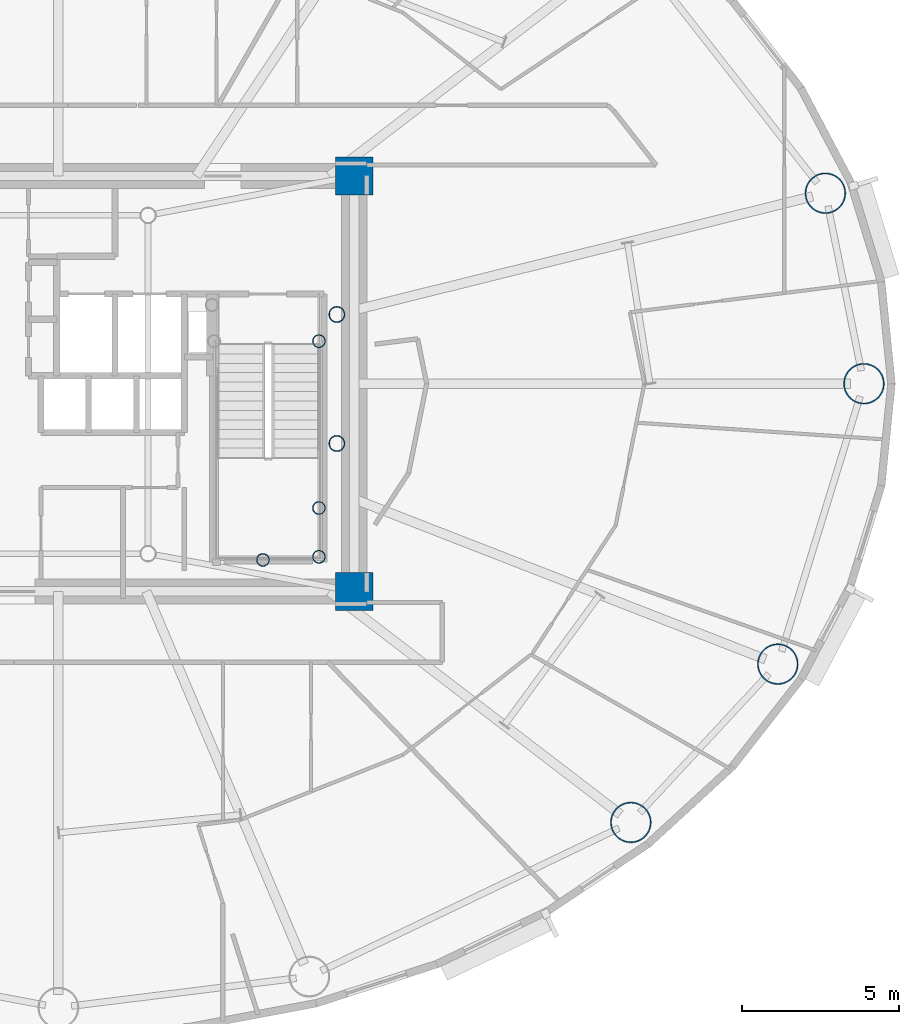
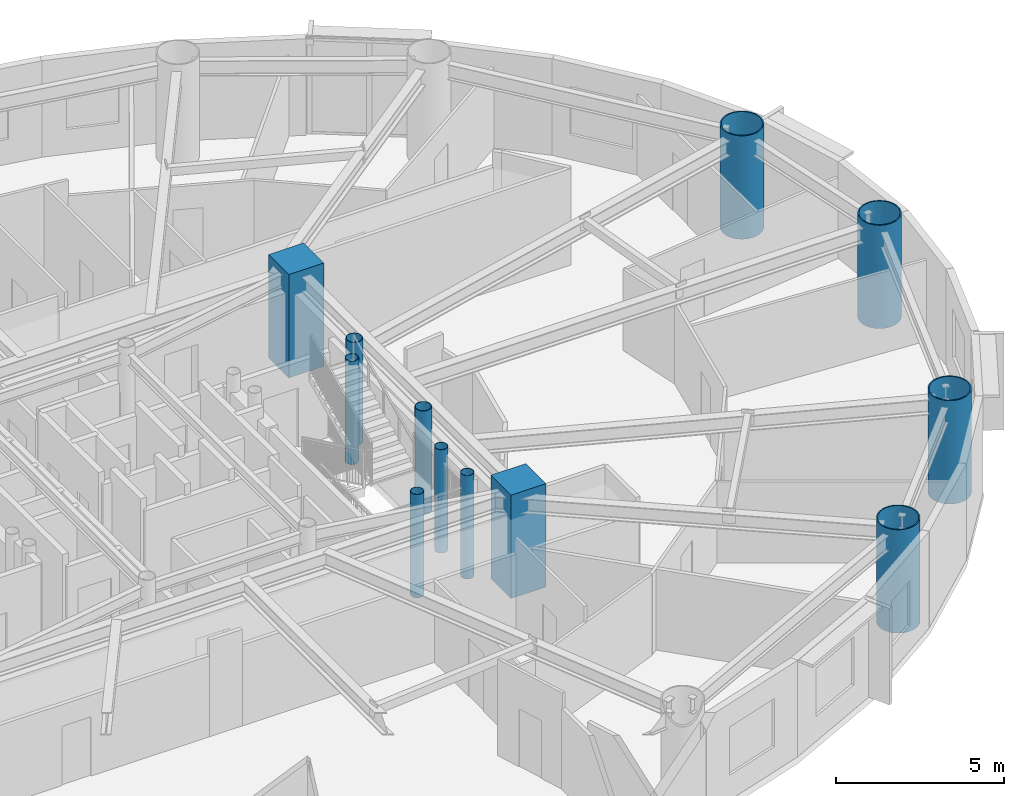
# One storey, part 2 of 19: 12 columns.
"""IFC4 building model written with IfcOpenShell, lengths in metres."""

from ifc_helpers import new_model, si_unit, direction, frame, origin, origin_2d, place, context, subcontext, project, spatial, rectangle, hollow_circle, extrude, material, material_profile, profile_set, type_object, element, save


model = new_model("IFC4")

# Units and contexts
model_context = context("Model", 3, precision=1e-05, world=origin(), true_north=direction((0.0, 1.0)))
body_context = subcontext(model_context, "Body", "Model", "MODEL_VIEW")
ifc_project = project(units=[si_unit("LENGTHUNIT", "METRE"), si_unit("AREAUNIT", "SQUARE_METRE"), si_unit("VOLUMEUNIT", "CUBIC_METRE"), si_unit("PLANEANGLEUNIT", "RADIAN"), si_unit("MASSUNIT", "GRAM", prefix="KILO")], contexts=[model_context])

# Site, building, storey
site_placement = place(None, origin())
site = spatial("IfcSite", under=ifc_project, at=site_placement, CompositionType="ELEMENT")
building_placement = place(site_placement, origin())
building = spatial("IfcBuilding", under=site, at=building_placement, Name="Linh Dai School and Residence Tower", CompositionType="ELEMENT")
storey_placement = place(building_placement, frame((0.0, 0.0, 193.64990234375)))
storey = spatial("IfcBuildingStorey", under=building, at=storey_placement, Name="L47", CompositionType="ELEMENT", Elevation=193.64990234375)

# Columns
ifc_material_1 = material(Name="Concrete B60 (C50/60)", Category="concrete")
ifc_material_profile_1 = material_profile(ifc_material_1, rectangle(XDim=1.199951171875, YDim=1.199951171875, at=origin_2d()), Name="RC 1200x1200")
ifc_profile_set_1 = profile_set([ifc_material_profile_1], Name="Concrete B60 (C50/60)")
column_type_1 = type_object("IfcColumnType", Name="COL-CC2", PredefinedType="COLUMN", material=ifc_profile_set_1)
for number, where, z_axis, x_axis, name in (
    (1, (45.39990234375, 20.39990234375, 0.0), (0.0, 0.0, 1.0), (1.0, 0.0, 0.0), "L47 Core Corner Pier CC2"),
    (2, (45.39990234375, 33.60009765625, 0.0), (0.0, 0.0, 1.0), (1.0, 0.0, 0.0), "L47 Core Corner Pier CC3"),
):
    element("IfcColumn", number, at=place(storey_placement, frame(where, z_axis=z_axis, x_axis=x_axis)), inside=storey, type_object=column_type_1, Name=name, PredefinedType="COLUMN", context=body_context, shape_type="SweptSolid", body=[
        extrude(rectangle(XDim=1.199951171875, YDim=1.199951171875, at=origin_2d()), origin(), (0.0, 0.0, 1.0), 3.75),
    ])
ifc_material_2 = material(Name="Structural Steel S355JR", Category="steel")
ifc_material_profile_2 = material_profile(ifc_material_2, hollow_circle(Radius=0.203125, WallThickness=0.01611328125, at=origin_2d()), Name="CHS 406.4x16")
ifc_profile_set_2 = profile_set([ifc_material_profile_2], Name="Structural Steel S355JR")
column_type_2 = type_object("IfcColumnType", Name="COL-EC", PredefinedType="COLUMN", material=ifc_profile_set_2)
for number, where, z_axis, x_axis, name in (
    (3, (44.280029296875, 21.5, 0.0), (0.0, 0.0, 1.0), (1.0, 0.0, 0.0), "L47 Stair Shaft Landing Support Pier ST2SE"),
    (4, (44.280029296875, 23.050048828125, 0.0), (0.0, 0.0, 1.0), (1.0, 0.0, 0.0), "L47 Stair Shaft Landing Support Pier ST2NE"),
    (5, (42.5, 21.39990234375, 0.0), (0.0, 0.0, 1.0), (1.0, 0.0, 0.0), "L47 Stair Shaft Landing Support Pier ST2MS"),
    (6, (44.280029296875, 28.35009765625, 0.0), (0.0, 0.0, 1.0), (1.0, 0.0, 0.0), "L47 Stair Shaft Landing Support Pier ST2N2"),
):
    element("IfcColumn", number, at=place(storey_placement, frame(where, z_axis=z_axis, x_axis=x_axis)), inside=storey, type_object=column_type_2, Name=name, PredefinedType="COLUMN", context=body_context, shape_type="SweptSolid", body=[
        extrude(hollow_circle(Radius=0.203125, WallThickness=0.01611328125, at=origin_2d()), origin(), (0.0, 0.0, 1.0), 3.75),
    ])
ifc_material_profile_3 = material_profile(ifc_material_2, hollow_circle(Radius=0.64990234375, WallThickness=0.0400390625, at=origin_2d()), Name="CHS 1300x40")
ifc_profile_set_3 = profile_set([ifc_material_profile_3], Name="Structural Steel S355JR")
column_type_3 = type_object("IfcColumnType", Name="COL-MC4", PredefinedType="COLUMN", material=ifc_profile_set_3)
for number, where, z_axis, x_axis, name in (
    (7, (61.60009765625, 27.0, 0.0), (0.0, 0.0, 1.0), (1.0, 0.0, 0.0), "L47 Perimeter CFT Mega-Column MC01"),
    (8, (60.37451171875, 33.053466796875, 0.0), (0.0, 0.0, 1.0), (1.0, 0.0, 0.0), "L47 Perimeter CFT Mega-Column MC02"),
    (9, (54.1923828125, 13.058349609375, 0.0), (0.0, 0.0, 1.0), (1.0, 0.0, 0.0), "L47 Perimeter CFT Mega-Column MC15"),
    (10, (58.862548828125, 18.0888671875, 0.0), (0.0, 0.0, 1.0), (1.0, 0.0, 0.0), "L47 Perimeter CFT Mega-Column MC16"),
):
    element("IfcColumn", number, at=place(storey_placement, frame(where, z_axis=z_axis, x_axis=x_axis)), inside=storey, type_object=column_type_3, Name=name, PredefinedType="COLUMN", context=body_context, shape_type="SweptSolid", body=[
        extrude(hollow_circle(Radius=0.64990234375, WallThickness=0.0400390625, at=origin_2d()), origin(), (0.0, 0.0, 1.0), 3.75),
    ])
ifc_material_profile_4 = material_profile(ifc_material_2, hollow_circle(Radius=0.25390625, WallThickness=0.02001953125, at=origin_2d()), Name="CHS 508x20")
ifc_profile_set_4 = profile_set([ifc_material_profile_4], Name="Structural Steel S355JR")
column_type_4 = type_object("IfcColumnType", Name="COL-MCP", PredefinedType="COLUMN", material=ifc_profile_set_4)
for number, where, z_axis, x_axis, name in (
    (11, (44.85009765625, 25.10009765625, 0.0), (0.0, 0.0, 1.0), (1.0, 0.0, 0.0), "L47 Sky-Lounge Core Anchor Pier S"),
    (12, (44.85009765625, 29.199951171875, 0.0), (0.0, 0.0, 1.0), (1.0, 0.0, 0.0), "L47 Sky-Lounge Core Anchor Pier N"),
):
    element("IfcColumn", number, at=place(storey_placement, frame(where, z_axis=z_axis, x_axis=x_axis)), inside=storey, type_object=column_type_4, Name=name, PredefinedType="COLUMN", context=body_context, shape_type="SweptSolid", body=[
        extrude(hollow_circle(Radius=0.25390625, WallThickness=0.02001953125, at=origin_2d()), origin(), (0.0, 0.0, 1.0), 3.75),
    ])

save(model, "model.ifc")
